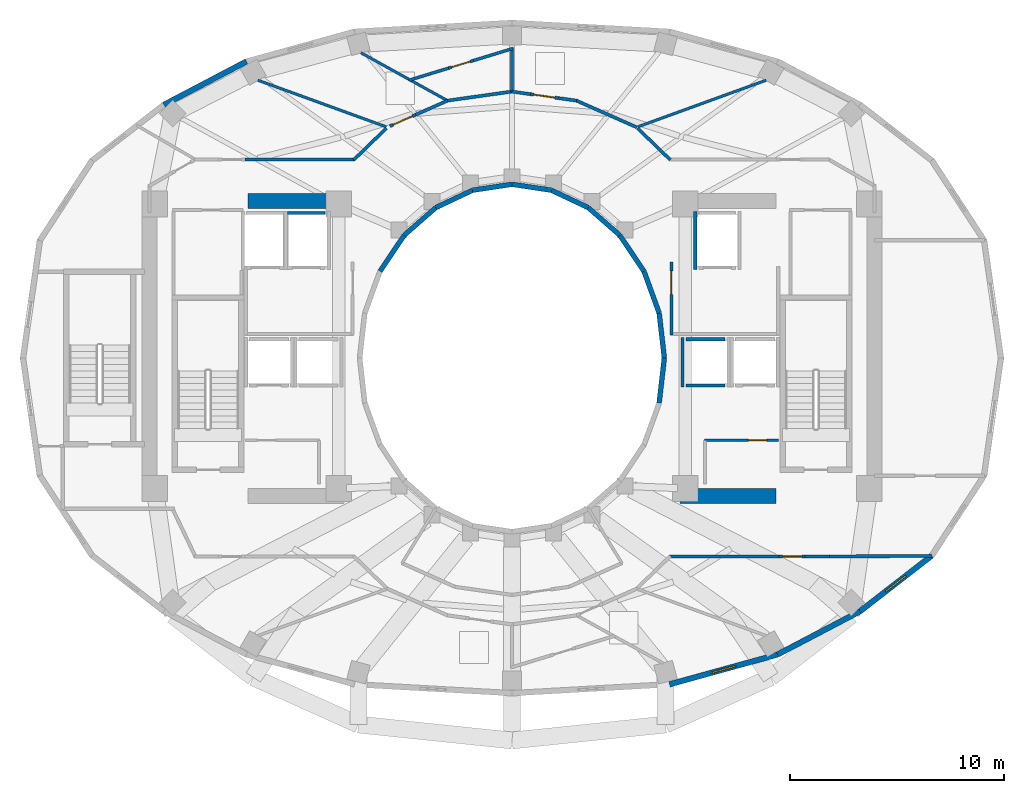
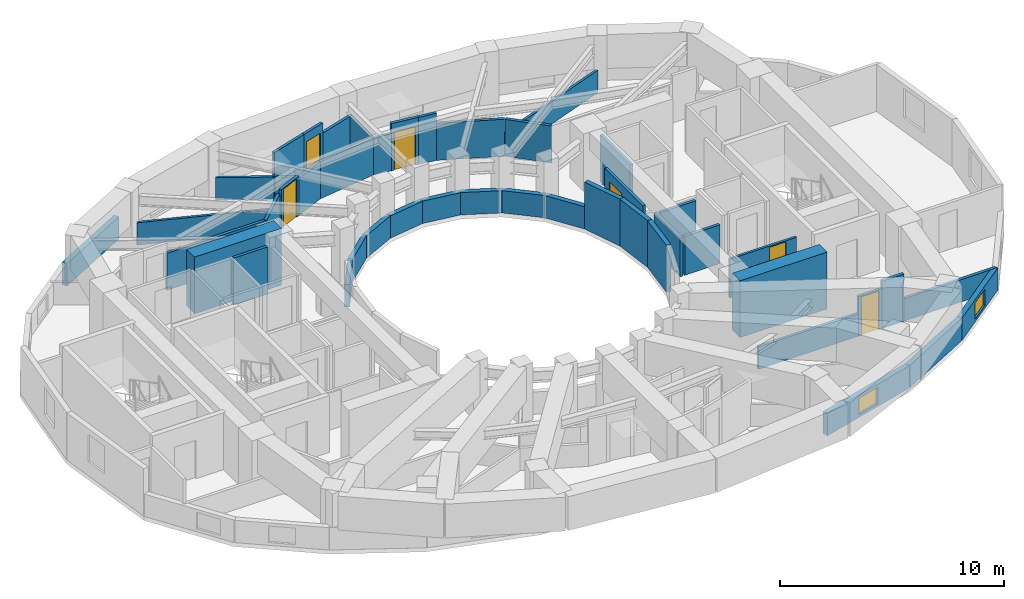
# One storey, part 5 of 9: 45 walls, 6 doors, 2 windows, 8 openings.
"""IFC4 building model written with IfcOpenShell, lengths in metres."""

from ifc_helpers import new_model, si_unit, direction, frame, frame_2d, origin, place, context, subcontext, project, spatial, rectangle, extrude, material, layer, layer_set, type_object, element, fill, save


model = new_model("IFC4")

# Units and contexts
model_context = context("Model", 3, precision=1e-05, world=origin(), true_north=direction((0.0, 1.0)))
body_context = subcontext(model_context, "Body", "Model", "MODEL_VIEW")
ifc_project = project(units=[si_unit("LENGTHUNIT", "METRE"), si_unit("AREAUNIT", "SQUARE_METRE"), si_unit("VOLUMEUNIT", "CUBIC_METRE"), si_unit("PLANEANGLEUNIT", "RADIAN"), si_unit("MASSUNIT", "GRAM", prefix="KILO")], contexts=[model_context])

# Site, building, storey
site_placement = place(None, origin())
site = spatial("IfcSite", under=ifc_project, at=site_placement, CompositionType="ELEMENT")
building_placement = place(site_placement, origin())
building = spatial("IfcBuilding", under=site, at=building_placement, Name="Solvane Sanctuary Tower", CompositionType="ELEMENT")
storey_placement = place(building_placement, frame((0.0, 0.0, 168.39990234375)))
storey = spatial("IfcBuildingStorey", under=building, at=storey_placement, Name="L51", CompositionType="ELEMENT", Elevation=168.39990234375)

# Walls
ifc_material_1 = material(Name="Concrete C60/75", Category="concrete")
ifc_layer_1 = layer(ifc_material_1, 0.699951171875, Name="Concrete C60/75")
ifc_layer_set_1 = layer_set([ifc_layer_1], Name="Concrete C60/75")
wall_type_1 = type_object("IfcWallType", Name="Wall W-CORE-700", PredefinedType="SHEAR", material=ifc_layer_set_1)
for number, where, z_axis, x_axis, name in (
    (1, (19.64990234375, 30.35009765625, 0.0), (0.0, 0.0, 1.0), (1.0, 0.0, 0.0), "L51 Core Shear Wall WC-N"),
    (2, (39.85009765625, 16.550048828125, 0.0), (0.0, 0.0, 1.0), (1.0, 0.0, 0.0), "L51 Core Shear Wall EC-S"),
):
    element("IfcWall", number, at=place(storey_placement, frame(where, z_axis=z_axis, x_axis=x_axis)), inside=storey, type_object=wall_type_1, Name=name, PredefinedType="SHEAR", context=body_context, shape_type="SweptSolid", body=[
        extrude(rectangle(XDim=4.5, YDim=0.699951171875, at=frame_2d((2.25, 0.0))), origin(), (0.0, 0.0, 1.0), 3.10009765625),
    ])

# Wall, opening, door
ifc_material_2 = material(Name="Acoustic Gypsum Partition Board")
ifc_layer_2 = layer(ifc_material_2, 0.14990234375, Name="Acoustic Gypsum Partition Board")
ifc_layer_set_2 = layer_set([ifc_layer_2], Name="Acoustic Gypsum Partition Board")
wall_type_2 = type_object("IfcWallType", Name="Wall W-CORR-150", PredefinedType="PARTITIONING", material=ifc_layer_set_2)
wall_1_placement = place(storey_placement, frame((39.449951171875, 24.080078125, 0.0), z_axis=(0.0, 0.0, 1.0), x_axis=(0.0, 1.0, 0.0)))
wall_1 = element("IfcWall", 3, at=wall_1_placement, inside=storey, type_object=wall_type_2, Name="L51 East Firefighting Lobby West Wall", PredefinedType="PARTITIONING", context=body_context, shape_type="SweptSolid", body=[
    extrude(rectangle(XDim=3.39990234375, YDim=0.14990234375, at=frame_2d((1.699951171875, 0.0))), origin(), (0.0, 0.0, 1.0), 2.5751953125),
])
opening_1_placement = place(wall_1_placement, frame((1.893798828125, 0.0, 0.0)))
opening_1 = element("IfcOpeningElement", 4, at=opening_1_placement, cuts=wall_1, Name="Opening D-L51-05", PredefinedType="OPENING", context=body_context, shape_type="SweptSolid", body=[
    extrude(rectangle(XDim=1.10009765625, YDim=2.10009765625, at=frame_2d((0.550048828125, 1.050048828125))), frame((0.0, 0.0849609375, 0.0), z_axis=(0.0, -1.0, 0.0), x_axis=(1.0, 0.0, 0.0)), (0.0, 0.0, 1.0), 0.169921875),
])
ifc_material_3 = material(Name="Architectural Stainless Steel 316", Category="steel")
door_type_1 = type_object("IfcDoorType", Name="Door D-FFL", OperationType="NOTDEFINED", PredefinedType="DOOR", material=ifc_material_3)
door_1_placement = place(opening_1_placement, origin())
door_1 = element("IfcDoor", 5, at=door_1_placement, inside=storey, type_object=door_type_1, Name="L51 East Firefighting Lobby Fire Door", OperationType="SINGLE_SWING_LEFT", OverallHeight=2.10009765625, OverallWidth=1.10009765625, PredefinedType="DOOR", context=body_context, shape_type="SweptSolid", body=[
    extrude(rectangle(XDim=1.10009765625, YDim=2.10009765625, at=frame_2d((0.550048828125, 1.050048828125))), frame((0.0, 0.02490234375, 0.0), z_axis=(0.0, -1.0, 0.0), x_axis=(1.0, 0.0, 0.0)), (0.0, 0.0, 1.0), 0.050048828125),
])
fill(opening_1, door_1)

# Walls
for number, where, z_axis, x_axis, name in (
    (6, (37.867431640625, 33.748779296875, 0.0), (0.0, 0.0, 1.0), (0.717419568599, -0.696641344302, 0.0), "L51 NE Corner Throat Wall"),
    (7, (26.132568359375, 33.748779296875, 0.0), (0.0, 0.0, 1.0), (-0.717419568599, -0.696641344302, 0.0), "L51 NW Corner Throat Wall"),
):
    element("IfcWall", number, at=place(storey_placement, frame(where, z_axis=z_axis, x_axis=x_axis)), inside=storey, type_object=wall_type_2, Name=name, PredefinedType="PARTITIONING", context=body_context, shape_type="SweptSolid", body=[
        extrude(rectangle(XDim=2.138427734375, YDim=0.14990234375, at=frame_2d((1.0693359375, 0.0))), origin(), (0.0, 0.0, 1.0), 2.01904296875),
    ])
wall_2_placement = place(storey_placement, frame((19.510009765625, 32.280029296875, 0.0), z_axis=(0.0, 0.0, 1.0), x_axis=(1.0, 0.0, 0.0)))
element("IfcWall", 8, at=wall_2_placement, inside=storey, type_object=wall_type_2, Name="L51 NW Corner Corridor Wall", PredefinedType="PARTITIONING", context=body_context, shape_type="SweptSolid", body=[
    extrude(rectangle(XDim=5.159912109375, YDim=0.14990234375, at=frame_2d((2.580078125, 0.0))), origin(), (0.0, 0.0, 1.0), 2.01904296875),
])
wall_3_placement = place(storey_placement, frame((39.330078125, 13.719970703125, 0.0), z_axis=(0.0, 0.0, 1.0), x_axis=(1.0, 0.0, 0.0)))
element("IfcWall", 9, at=wall_3_placement, inside=storey, type_object=wall_type_2, Name="L51 SE Corner Corridor Wall", PredefinedType="PARTITIONING", context=body_context, shape_type="SweptSolid", body=[
    extrude(rectangle(XDim=5.158447265625, YDim=0.14990234375, at=frame_2d((2.5791015625, 0.0))), origin(), (0.0, 0.0, 1.0), 1.22021484375),
])

# Wall, opening, door
wall_4_placement = place(storey_placement, frame((44.488525390625, 13.719970703125, 0.0), z_axis=(0.0, 0.0, 1.0), x_axis=(1.0, 0.0, 0.0)))
wall_4 = element("IfcWall", 10, at=wall_4_placement, inside=storey, type_object=wall_type_2, Name="L51 SE Corner Corridor Wall", PredefinedType="PARTITIONING", context=body_context, shape_type="SweptSolid", body=[
    extrude(rectangle(XDim=1.219970703125, YDim=0.14990234375, at=frame_2d((0.60986328125, 0.0))), origin(), (0.0, 0.0, 1.0), 2.16015625),
])
opening_2_placement = place(wall_4_placement, frame((0.159912109375, 0.0, 0.0)))
opening_2 = element("IfcOpeningElement", 11, at=opening_2_placement, cuts=wall_4, Name="Opening D-L51-16", PredefinedType="OPENING", context=body_context, shape_type="SweptSolid", body=[
    extrude(rectangle(XDim=0.89990234375, YDim=2.10009765625, at=frame_2d((0.449951171875, 1.050048828125))), frame((0.0, 0.0849609375, 0.0), z_axis=(0.0, -1.0, 0.0), x_axis=(1.0, 0.0, 0.0)), (0.0, 0.0, 1.0), 0.169921875),
])
ifc_material_4 = material(Name="Engineered Tropical Hardwood", Category="wood")
door_type_2 = type_object("IfcDoorType", Name="Door D-WET-900", OperationType="NOTDEFINED", PredefinedType="DOOR", material=ifc_material_4)
door_2_placement = place(opening_2_placement, origin())
door_2 = element("IfcDoor", 12, at=door_2_placement, inside=storey, type_object=door_type_2, Name="L51 SE Corner Salon Door", OperationType="SINGLE_SWING_RIGHT", OverallHeight=2.10009765625, OverallWidth=0.89990234375, PredefinedType="DOOR", context=body_context, shape_type="SweptSolid", body=[
    extrude(rectangle(XDim=0.89990234375, YDim=2.10009765625, at=frame_2d((0.449951171875, 1.050048828125))), frame((0.0, 0.02490234375, 0.0), z_axis=(0.0, -1.0, 0.0), x_axis=(1.0, 0.0, 0.0)), (0.0, 0.0, 1.0), 0.050048828125),
])
fill(opening_2, door_2)

# Walls
wall_5_placement = place(storey_placement, frame((45.70849609375, 13.719970703125, 0.0), z_axis=(0.0, 0.0, 1.0), x_axis=(1.0, 0.0, 0.0)))
element("IfcWall", 13, at=wall_5_placement, inside=storey, type_object=wall_type_2, Name="L51 SE Corner Corridor Wall", PredefinedType="PARTITIONING", context=body_context, shape_type="SweptSolid", body=[
    extrude(rectangle(XDim=1.1416015625, YDim=0.14990234375, at=frame_2d((0.57080078125, 0.0))), origin(), (0.0, 0.0, 1.0), 2.5751953125),
])
wall_6_placement = place(storey_placement, frame((46.75, 13.7197265625, 0.0), z_axis=(0.0, 0.0, 1.0), x_axis=(0.999981712056, 0.006047772638, 0.0)))
element("IfcWall", 14, at=wall_6_placement, inside=storey, type_object=wall_type_2, Name="L51 SE Corner Wing Wall", PredefinedType="PARTITIONING", context=body_context, shape_type="SweptSolid", body=[
    extrude(rectangle(XDim=4.884521484375, YDim=0.14990234375, at=frame_2d((2.4423828125, 0.0))), origin(), (0.0, 0.0, 1.0), 1.22021484375),
])
wall_7_placement = place(storey_placement, frame((32.049560546875, 35.462890625, 0.0), z_axis=(0.0, 0.0, 1.0), x_axis=(-0.990254405439, -0.139270285808, 0.0)))
element("IfcWall", 15, at=wall_7_placement, inside=storey, type_object=wall_type_2, Name="L51 En-suite Inner Wall N1", PredefinedType="PARTITIONING", context=body_context, shape_type="SweptSolid", body=[
    extrude(rectangle(XDim=3.146728515625, YDim=0.14990234375, at=frame_2d((1.5732421875, 0.0))), origin(), (0.0, 0.0, 1.0), 2.01904296875),
])
wall_8_placement = place(storey_placement, frame((37.8349609375, 33.782958984375, 0.0), z_axis=(0.0, 0.0, 1.0), x_axis=(-0.91445214467, 0.404694051239, 0.0)))
element("IfcWall", 16, at=wall_8_placement, inside=storey, type_object=wall_type_2, Name="L51 Unit Corridor Wall N1", PredefinedType="PARTITIONING", context=body_context, shape_type="SweptSolid", body=[
    extrude(rectangle(XDim=3.090576171875, YDim=0.14990234375, at=frame_2d((1.54541015625, 0.0))), origin(), (0.0, 0.0, 1.0), 2.01904296875),
])
wall_9_placement = place(storey_placement, frame((35.024658203125, 35.029296875, 0.0), z_axis=(0.0, 0.0, 1.0), x_axis=(-0.990255371296, 0.139263418091, 0.0)))
element("IfcWall", 17, at=wall_9_placement, inside=storey, type_object=wall_type_2, Name="L51 Unit Corridor Wall N1", PredefinedType="PARTITIONING", context=body_context, shape_type="SweptSolid", body=[
    extrude(rectangle(XDim=0.871337890625, YDim=0.14990234375, at=frame_2d((0.435546875, 0.0))), origin(), (0.0, 0.0, 1.0), 2.5751953125),
])

# Wall, opening, door
wall_10_placement = place(storey_placement, frame((34.161865234375, 35.150634765625, 0.0), z_axis=(0.0, 0.0, 1.0), x_axis=(-0.990228663531, 0.139453196171, 0.0)))
wall_10 = element("IfcWall", 18, at=wall_10_placement, inside=storey, type_object=wall_type_2, Name="L51 Unit Corridor Wall N1", PredefinedType="PARTITIONING", context=body_context, shape_type="SweptSolid", body=[
    extrude(rectangle(XDim=1.320068359375, YDim=0.14990234375, at=frame_2d((0.66015625, 0.0))), origin(), (0.0, 0.0, 1.0), 2.5751953125),
])
opening_3_placement = place(wall_10_placement, frame((0.159912109375, 0.0, 0.0)))
opening_3 = element("IfcOpeningElement", 19, at=opening_3_placement, cuts=wall_10, Name="Opening D-L51-19", PredefinedType="OPENING", context=body_context, shape_type="SweptSolid", body=[
    extrude(rectangle(XDim=1.0, YDim=2.10009765625, at=frame_2d((0.5, 1.050048828125))), frame((0.0, 0.0849609375, 0.0), z_axis=(0.0, -1.0, 0.0), x_axis=(1.0, 0.0, 0.0)), (0.0, 0.0, 1.0), 0.169921875),
])
door_type_3 = type_object("IfcDoorType", Name="Door D-UNIT", OperationType="NOTDEFINED", PredefinedType="DOOR", material=ifc_material_4)
door_3_placement = place(opening_3_placement, origin())
door_3 = element("IfcDoor", 20, at=door_3_placement, inside=storey, type_object=door_type_3, Name="L51 Unit Entrance Door N1", OperationType="SINGLE_SWING_LEFT", OverallHeight=2.10009765625, OverallWidth=1.0, PredefinedType="DOOR", context=body_context, shape_type="SweptSolid", body=[
    extrude(rectangle(XDim=1.0, YDim=2.10009765625, at=frame_2d((0.5, 1.050048828125))), frame((0.0, 0.02490234375, 0.0), z_axis=(0.0, -1.0, 0.0), x_axis=(1.0, 0.0, 0.0)), (0.0, 0.0, 1.0), 0.050048828125),
])
fill(opening_3, door_3)

# Walls
wall_11_placement = place(storey_placement, frame((32.854736328125, 35.334716796875, 0.0), z_axis=(0.0, 0.0, 1.0), x_axis=(-0.990255371296, 0.139263418091, 0.0)))
element("IfcWall", 21, at=wall_11_placement, inside=storey, type_object=wall_type_2, Name="L51 Unit Corridor Wall N1", PredefinedType="PARTITIONING", context=body_context, shape_type="SweptSolid", body=[
    extrude(rectangle(XDim=0.871337890625, YDim=0.14990234375, at=frame_2d((0.435546875, 0.0))), origin(), (0.0, 0.0, 1.0), 2.01904296875),
])
wall_12_placement = place(storey_placement, frame((28.9912109375, 35.03369140625, 0.0), z_axis=(0.0, 0.0, 1.0), x_axis=(-0.914437708412, -0.404726670031, 0.0)))
element("IfcWall", 22, at=wall_12_placement, inside=storey, type_object=wall_type_2, Name="L51 Unit Corridor Wall N2", PredefinedType="PARTITIONING", context=body_context, shape_type="SweptSolid", body=[
    extrude(rectangle(XDim=1.63720703125, YDim=0.14990234375, at=frame_2d((0.818603515625, 0.0))), origin(), (0.0, 0.0, 1.0), 2.01904296875),
])

# Wall, opening, door
wall_13_placement = place(storey_placement, frame((27.494140625, 34.37109375, 0.0), z_axis=(0.0, 0.0, 1.0), x_axis=(-0.914451103971, -0.404696402809, 0.0)))
wall_13 = element("IfcWall", 23, at=wall_13_placement, inside=storey, type_object=wall_type_2, Name="L51 Unit Corridor Wall N2", PredefinedType="PARTITIONING", context=body_context, shape_type="SweptSolid", body=[
    extrude(rectangle(XDim=1.320068359375, YDim=0.14990234375, at=frame_2d((0.66015625, 0.0))), origin(), (0.0, 0.0, 1.0), 2.16015625),
])
opening_4_placement = place(wall_13_placement, frame((0.159912109375, 0.0, 0.0)))
opening_4 = element("IfcOpeningElement", 24, at=opening_4_placement, cuts=wall_13, Name="Opening D-L51-20", PredefinedType="OPENING", context=body_context, shape_type="SweptSolid", body=[
    extrude(rectangle(XDim=1.0, YDim=2.10009765625, at=frame_2d((0.5, 1.050048828125))), frame((0.0, 0.0849609375, 0.0), z_axis=(0.0, -1.0, 0.0), x_axis=(1.0, 0.0, 0.0)), (0.0, 0.0, 1.0), 0.169921875),
])
door_4_placement = place(opening_4_placement, origin())
door_4 = element("IfcDoor", 25, at=door_4_placement, inside=storey, type_object=door_type_3, Name="L51 Unit Entrance Door N2", OperationType="SINGLE_SWING_RIGHT", OverallHeight=2.10009765625, OverallWidth=1.0, PredefinedType="DOOR", context=body_context, shape_type="SweptSolid", body=[
    extrude(rectangle(XDim=1.0, YDim=2.10009765625, at=frame_2d((0.5, 1.050048828125))), frame((0.0, 0.02490234375, 0.0), z_axis=(0.0, -1.0, 0.0), x_axis=(1.0, 0.0, 0.0)), (0.0, 0.0, 1.0), 0.050048828125),
])
fill(opening_4, door_4)

# Wall
ifc_material_5 = material(Name="Precast concrete C40/50", Category="concrete")
ifc_layer_3 = layer(ifc_material_5, 0.260009765625, Name="Precast concrete C40/50")
ifc_layer_set_3 = layer_set([ifc_layer_3], Name="Precast concrete C40/50")
wall_type_3 = type_object("IfcWallType", Name="Wall W-EXT-250", PredefinedType="STANDARD", material=ifc_layer_set_3)
wall_14_placement = place(storey_placement, frame((19.5869140625, 36.86328125, 0.0), z_axis=(0.0, 0.0, 1.0), x_axis=(-0.885660265226, -0.464333818065, 0.0)))
element("IfcWall", 26, at=wall_14_placement, inside=storey, type_object=wall_type_3, Name="L51 Ceramic-Printed Facade Wall 08", PredefinedType="STANDARD", context=body_context, shape_type="SweptSolid", body=[
    extrude(rectangle(XDim=4.35400390625, YDim=0.260009765625, at=frame_2d((2.177001953125, 0.0))), origin(), (0.0, 0.0, 1.0), 1.22021484375),
])

# Wall, opening, window
wall_15_placement = place(storey_placement, frame((39.365234375, 7.743408203125, 0.0), z_axis=(0.0, 0.0, 1.0), x_axis=(0.963953455704, 0.26607092144, 0.0)))
wall_15 = element("IfcWall", 27, at=wall_15_placement, inside=storey, type_object=wall_type_3, Name="L51 Ceramic-Printed Facade Wall 19", PredefinedType="STANDARD", context=body_context, shape_type="SweptSolid", body=[
    extrude(rectangle(XDim=5.236572265625, YDim=0.260009765625, at=frame_2d((2.6181640625, 0.0))), origin(), (0.0, 0.0, 1.0), 1.22021484375),
])
opening_5_placement = place(wall_15_placement, frame((2.018310546875, 0.0, 0.14990234375)))
opening_5 = element("IfcOpeningElement", 28, at=opening_5_placement, cuts=wall_15, Name="Opening WN-OPER-1200", PredefinedType="OPENING", context=body_context, shape_type="SweptSolid", body=[
    extrude(rectangle(XDim=1.199951171875, YDim=0.89990234375, at=frame_2d((0.60009765625, 0.449951171875))), frame((0.0, 0.139892578125, 0.0), z_axis=(0.0, -1.0, 0.0), x_axis=(1.0, 0.0, 0.0)), (0.0, 0.0, 1.0), 0.280029296875),
])
ifc_material_6 = material(Name="Dark Ceramic-Fritted Low-E Glass", Category="glass")
window_type = type_object("IfcWindowType", Name="Window WN-OPER-1200", PartitioningType="SINGLE_PANEL", PredefinedType="WINDOW", material=ifc_material_6)
window_1_placement = place(opening_5_placement, origin())
window_1 = element("IfcWindow", 29, at=window_1_placement, inside=storey, type_object=window_type, Name="L51 Operable Facade Window 19", OverallHeight=0.89990234375, OverallWidth=1.199951171875, PartitioningType="SINGLE_PANEL", PredefinedType="WINDOW", context=body_context, shape_type="SweptSolid", body=[
    extrude(rectangle(XDim=1.199951171875, YDim=0.89990234375, at=frame_2d((0.60009765625, 0.449951171875))), frame((0.0, 0.030029296875, 0.0), z_axis=(0.0, -1.0, 0.0), x_axis=(1.0, 0.0, 0.0)), (0.0, 0.0, 1.0), 0.06005859375),
])
fill(opening_5, window_1)

# Wall
wall_16_placement = place(storey_placement, frame((44.4130859375, 9.13671875, 0.0), z_axis=(0.0, 0.0, 1.0), x_axis=(0.885660265226, 0.464333818065, 0.0)))
element("IfcWall", 30, at=wall_16_placement, inside=storey, type_object=wall_type_3, Name="L51 Ceramic-Printed Facade Wall 20", PredefinedType="STANDARD", context=body_context, shape_type="SweptSolid", body=[
    extrude(rectangle(XDim=4.35400390625, YDim=0.260009765625, at=frame_2d((2.177001953125, 0.0))), origin(), (0.0, 0.0, 1.0), 1.22021484375),
])

# Wall, opening, window
wall_17_placement = place(storey_placement, frame((48.269287109375, 11.158447265625, 0.0), z_axis=(0.0, 0.0, 1.0), x_axis=(0.790185650662, 0.612867552973, 0.0)))
wall_17 = element("IfcWall", 31, at=wall_17_placement, inside=storey, type_object=wall_type_3, Name="L51 Ceramic-Printed Facade Wall 21", PredefinedType="STANDARD", context=body_context, shape_type="SweptSolid", body=[
    extrude(rectangle(XDim=4.2392578125, YDim=0.260009765625, at=frame_2d((2.11962890625, 0.0))), origin(), (0.0, 0.0, 1.0), 1.22021484375),
])
opening_6_placement = place(wall_17_placement, frame((1.51953125, 0.0, 0.14990234375)))
opening_6 = element("IfcOpeningElement", 32, at=opening_6_placement, cuts=wall_17, Name="Opening WN-OPER-1200", PredefinedType="OPENING", context=body_context, shape_type="SweptSolid", body=[
    extrude(rectangle(XDim=1.199951171875, YDim=0.89990234375, at=frame_2d((0.60009765625, 0.449951171875))), frame((0.0, 0.139892578125, 0.0), z_axis=(0.0, -1.0, 0.0), x_axis=(1.0, 0.0, 0.0)), (0.0, 0.0, 1.0), 0.280029296875),
])
window_2_placement = place(opening_6_placement, origin())
window_2 = element("IfcWindow", 33, at=window_2_placement, inside=storey, type_object=window_type, Name="L51 Operable Facade Window 21", OverallHeight=0.89990234375, OverallWidth=1.199951171875, PartitioningType="SINGLE_PANEL", PredefinedType="WINDOW", context=body_context, shape_type="SweptSolid", body=[
    extrude(rectangle(XDim=1.199951171875, YDim=0.89990234375, at=frame_2d((0.60009765625, 0.449951171875))), frame((0.0, 0.030029296875, 0.0), z_axis=(0.0, -1.0, 0.0), x_axis=(1.0, 0.0, 0.0)), (0.0, 0.0, 1.0), 0.06005859375),
])
fill(opening_6, window_2)

# Walls
ifc_layer_4 = layer(ifc_material_5, 0.22998046875, Name="Precast concrete C40/50")
ifc_layer_set_4 = layer_set([ifc_layer_4], Name="Precast concrete C40/50")
wall_type_4 = type_object("IfcWallType", Name="Wall W-EXT-SP220", PredefinedType="STANDARD", material=ifc_layer_set_4)
wall_18_placement = place(storey_placement, frame((39.1201171875, 23.0, 0.0), z_axis=(0.0, 0.0, 1.0), x_axis=(-0.114711713601, 0.993398823617, 0.0)))
element("IfcWall", 34, at=wall_18_placement, inside=storey, type_object=wall_type_4, Name="L51 Central Light-Well Wall 00", PredefinedType="STANDARD", context=body_context, shape_type="SweptSolid", body=[
    extrude(rectangle(XDim=2.115478515625, YDim=0.22998046875, at=frame_2d((1.0576171875, 0.0))), origin(), (0.0, 0.0, 1.0), 2.56005859375),
])
wall_19_placement = place(storey_placement, frame((38.87744140625, 25.1015625, 0.0), z_axis=(0.0, 0.0, 1.0), x_axis=(-0.341423187295, 0.93990968033, 0.0)))
element("IfcWall", 35, at=wall_19_placement, inside=storey, type_object=wall_type_4, Name="L51 Central Light-Well Wall 01", PredefinedType="STANDARD", context=body_context, shape_type="SweptSolid", body=[
    extrude(rectangle(XDim=2.083740234375, YDim=0.22998046875, at=frame_2d((1.0419921875, 0.0))), origin(), (0.0, 0.0, 1.0), 2.56005859375),
])
wall_20_placement = place(storey_placement, frame((38.166015625, 27.06005859375, 0.0), z_axis=(0.0, 0.0, 1.0), x_axis=(-0.558197800898, 0.829707909492, 0.0)))
element("IfcWall", 36, at=wall_20_placement, inside=storey, type_object=wall_type_4, Name="L51 Central Light-Well Wall 02", PredefinedType="STANDARD", context=body_context, shape_type="SweptSolid", body=[
    extrude(rectangle(XDim=2.02685546875, YDim=0.22998046875, at=frame_2d((1.013427734375, 0.0))), origin(), (0.0, 0.0, 1.0), 1.22021484375),
])
wall_21_placement = place(storey_placement, frame((37.03466796875, 28.74169921875, 0.0), z_axis=(0.0, 0.0, 1.0), x_axis=(-0.752576694707, 0.658504607869, 0.0)))
element("IfcWall", 37, at=wall_21_placement, inside=storey, type_object=wall_type_4, Name="L51 Central Light-Well Wall 03", PredefinedType="STANDARD", context=body_context, shape_type="SweptSolid", body=[
    extrude(rectangle(XDim=1.95947265625, YDim=0.22998046875, at=frame_2d((0.979736328125, 0.0))), origin(), (0.0, 0.0, 1.0), 1.22021484375),
])
wall_22_placement = place(storey_placement, frame((35.56005859375, 30.031982421875, 0.0), z_axis=(0.0, 0.0, 1.0), x_axis=(-0.904179699603, 0.427152280606, 0.0)))
element("IfcWall", 38, at=wall_22_placement, inside=storey, type_object=wall_type_4, Name="L51 Central Light-Well Wall 04", PredefinedType="STANDARD", context=body_context, shape_type="SweptSolid", body=[
    extrude(rectangle(XDim=1.899169921875, YDim=0.22998046875, at=frame_2d((0.94970703125, 0.0))), origin(), (0.0, 0.0, 1.0), 1.22021484375),
])
for number, where, z_axis, x_axis, name in (
    (39, (33.8427734375, 30.84326171875, 0.0), (0.0, 0.0, 1.0), (-0.988901730308, 0.148571086668, 0.0), "L51 Central Light-Well Wall 05"),
    (40, (32.0, 31.1201171875, 0.0), (0.0, 0.0, 1.0), (-0.988901730308, -0.148571086668, 0.0), "L51 Central Light-Well Wall 06"),
):
    element("IfcWall", number, at=place(storey_placement, frame(where, z_axis=z_axis, x_axis=x_axis)), inside=storey, type_object=wall_type_4, Name=name, PredefinedType="STANDARD", context=body_context, shape_type="SweptSolid", body=[
        extrude(rectangle(XDim=1.863525390625, YDim=0.22998046875, at=frame_2d((0.931640625, 0.0))), origin(), (0.0, 0.0, 1.0), 1.22021484375),
    ])
wall_23_placement = place(storey_placement, frame((30.1572265625, 30.84326171875, 0.0), z_axis=(0.0, 0.0, 1.0), x_axis=(-0.904179699603, -0.427152280606, 0.0)))
element("IfcWall", 41, at=wall_23_placement, inside=storey, type_object=wall_type_4, Name="L51 Central Light-Well Wall 07", PredefinedType="STANDARD", context=body_context, shape_type="SweptSolid", body=[
    extrude(rectangle(XDim=1.899169921875, YDim=0.22998046875, at=frame_2d((0.94970703125, 0.0))), origin(), (0.0, 0.0, 1.0), 1.22021484375),
])
wall_24_placement = place(storey_placement, frame((28.43994140625, 30.031982421875, 0.0), z_axis=(0.0, 0.0, 1.0), x_axis=(-0.752576694707, -0.658504607869, 0.0)))
element("IfcWall", 42, at=wall_24_placement, inside=storey, type_object=wall_type_4, Name="L51 Central Light-Well Wall 08", PredefinedType="STANDARD", context=body_context, shape_type="SweptSolid", body=[
    extrude(rectangle(XDim=1.95947265625, YDim=0.22998046875, at=frame_2d((0.979736328125, 0.0))), origin(), (0.0, 0.0, 1.0), 1.22021484375),
])
wall_25_placement = place(storey_placement, frame((26.96533203125, 28.74169921875, 0.0), z_axis=(0.0, 0.0, 1.0), x_axis=(-0.558197800898, -0.829707909492, 0.0)))
element("IfcWall", 43, at=wall_25_placement, inside=storey, type_object=wall_type_4, Name="L51 Central Light-Well Wall 09", PredefinedType="STANDARD", context=body_context, shape_type="SweptSolid", body=[
    extrude(rectangle(XDim=2.02685546875, YDim=0.22998046875, at=frame_2d((1.013427734375, 0.0))), origin(), (0.0, 0.0, 1.0), 1.22021484375),
])
wall_26_placement = place(storey_placement, frame((38.87744140625, 20.8984375, 0.0), z_axis=(0.0, 0.0, 1.0), x_axis=(0.114711713601, 0.993398823617, 0.0)))
element("IfcWall", 44, at=wall_26_placement, inside=storey, type_object=wall_type_4, Name="L51 Central Light-Well Wall 23", PredefinedType="STANDARD", context=body_context, shape_type="SweptSolid", body=[
    extrude(rectangle(XDim=2.115478515625, YDim=0.22998046875, at=frame_2d((1.0576171875, 0.0))), origin(), (0.0, 0.0, 1.0), 2.56005859375),
])

# Wall, opening, door
ifc_layer_5 = layer(ifc_material_2, 0.125, Name="Acoustic Gypsum Partition Board")
ifc_layer_set_5 = layer_set([ifc_layer_5], Name="Acoustic Gypsum Partition Board")
wall_type_5 = type_object("IfcWallType", Name="Wall W-PART-125", PredefinedType="PARTITIONING", material=ifc_layer_set_5)
wall_27_placement = place(storey_placement, frame((41.0, 19.159912109375, 0.0), z_axis=(0.0, 0.0, 1.0), x_axis=(1.0, 0.0, 0.0)))
wall_27 = element("IfcWall", 45, at=wall_27_placement, inside=storey, type_object=wall_type_5, Name="L51 Reclaimed Room Partition PLE", PredefinedType="PARTITIONING", context=body_context, shape_type="SweptSolid", body=[
    extrude(rectangle(XDim=3.449951171875, YDim=0.125, at=frame_2d((1.72509765625, 0.0))), origin(), (0.0, 0.0, 1.0), 2.1201171875),
])
opening_7_placement = place(wall_27_placement, frame((2.050048828125, 0.0, 0.0)))
opening_7 = element("IfcOpeningElement", 46, at=opening_7_placement, cuts=wall_27, Name="Opening D-L51-07", PredefinedType="OPENING", context=body_context, shape_type="SweptSolid", body=[
    extrude(rectangle(XDim=0.85009765625, YDim=2.050048828125, at=frame_2d((0.425048828125, 1.02490234375))), frame((0.0, 0.072509765625, 0.0), z_axis=(0.0, -1.0, 0.0), x_axis=(1.0, 0.0, 0.0)), (0.0, 0.0, 1.0), 0.14501953125),
])
door_type_4 = type_object("IfcDoorType", Name="Door D-RISER", OperationType="NOTDEFINED", PredefinedType="DOOR", material=ifc_material_3)
door_5_placement = place(opening_7_placement, origin())
door_5 = element("IfcDoor", 47, at=door_5_placement, inside=storey, type_object=door_type_4, Name="L51 Reclaimed Room Door PLE-1", OperationType="SINGLE_SWING_LEFT", OverallHeight=2.050048828125, OverallWidth=0.85009765625, PredefinedType="DOOR", context=body_context, shape_type="SweptSolid", body=[
    extrude(rectangle(XDim=0.85009765625, YDim=2.050048828125, at=frame_2d((0.425048828125, 1.02490234375))), frame((0.0, 0.02490234375, 0.0), z_axis=(0.0, -1.0, 0.0), x_axis=(1.0, 0.0, 0.0)), (0.0, 0.0, 1.0), 0.050048828125),
])
fill(opening_7, door_5)

# Walls
wall_28_placement = place(storey_placement, frame((37.879638671875, 33.805908203125, 0.0), z_axis=(0.0, 0.0, 1.0), x_axis=(0.939901628116, 0.341445353557, 0.0)))
element("IfcWall", 48, at=wall_28_placement, inside=storey, type_object=wall_type_5, Name="L51 Radial Compartment Wall 060", PredefinedType="PARTITIONING", context=body_context, shape_type="SweptSolid", body=[
    extrude(rectangle(XDim=6.38720703125, YDim=0.125, at=frame_2d((3.193603515625, 0.0))), origin(), (0.0, 0.0, 1.0), 1.22021484375),
])
wall_29_placement = place(storey_placement, frame((28.93505859375, 35.05810546875, 0.0), z_axis=(0.0, 0.0, 1.0), x_axis=(-0.875077338582, 0.48398311076, 0.0)))
element("IfcWall", 49, at=wall_29_placement, inside=storey, type_object=wall_type_5, Name="L51 Radial Compartment Wall 105", PredefinedType="PARTITIONING", context=body_context, shape_type="SweptSolid", body=[
    extrude(rectangle(XDim=4.5732421875, YDim=0.125, at=frame_2d((2.28662109375, 0.0))), origin(), (0.0, 0.0, 1.0), 1.22021484375),
])
wall_30_placement = place(storey_placement, frame((26.120361328125, 33.805908203125, 0.0), z_axis=(0.0, 0.0, 1.0), x_axis=(-0.939901628116, 0.341445353557, 0.0)))
element("IfcWall", 50, at=wall_30_placement, inside=storey, type_object=wall_type_5, Name="L51 Radial Compartment Wall 120", PredefinedType="PARTITIONING", context=body_context, shape_type="SweptSolid", body=[
    extrude(rectangle(XDim=6.38720703125, YDim=0.125, at=frame_2d((3.193603515625, 0.0))), origin(), (0.0, 0.0, 1.0), 1.22021484375),
])
ifc_material_7 = material(Name="Concrete C50/60", Category="concrete")
ifc_layer_6 = layer(ifc_material_7, 0.14990234375, Name="Concrete C50/60")
ifc_layer_set_6 = layer_set([ifc_layer_6], Name="Concrete C50/60")
wall_type_6 = type_object("IfcWallType", Name="Wall W-SHAFT-150", PredefinedType="SOLIDWALL", material=ifc_layer_set_6)
for number, where, z_axis, x_axis, name in (
    (51, (40.139892578125, 21.719970703125, 0.0), (0.0, 0.0, 1.0), (1.0, 0.0, 0.0), "L51 PH-2 Lift Shaft Wall F"),
    (52, (40.139892578125, 23.8798828125, 0.0), (0.0, 0.0, 1.0), (1.0, 0.0, 0.0), "L51 PH-2 Lift Shaft Wall B"),
):
    element("IfcWall", number, at=place(storey_placement, frame(where, z_axis=z_axis, x_axis=x_axis)), inside=storey, type_object=wall_type_6, Name=name, PredefinedType="SOLIDWALL", context=body_context, shape_type="SweptSolid", body=[
        extrude(rectangle(XDim=1.820068359375, YDim=0.14990234375, at=frame_2d((0.91015625, 0.0))), origin(), (0.0, 0.0, 1.0), 2.1201171875),
    ])
wall_31_placement = place(storey_placement, frame((39.969970703125, 21.639892578125, 0.0), z_axis=(0.0, 0.0, 1.0), x_axis=(0.0, 1.0, 0.0)))
element("IfcWall", 53, at=wall_31_placement, inside=storey, type_object=wall_type_6, Name="L51 PH-2 Lift Shaft Wall S1", PredefinedType="SOLIDWALL", context=body_context, shape_type="SweptSolid", body=[
    extrude(rectangle(XDim=2.320068359375, YDim=0.14990234375, at=frame_2d((1.16015625, 0.0))), origin(), (0.0, 0.0, 1.0), 2.1201171875),
])
wall_32_placement = place(storey_placement, frame((21.5, 29.780029296875, 0.0), z_axis=(0.0, 0.0, 1.0), x_axis=(1.0, 0.0, 0.0)))
element("IfcWall", 54, at=wall_32_placement, inside=storey, type_object=wall_type_6, Name="L51 SVL-1 Lift Shaft Wall B", PredefinedType="SOLIDWALL", context=body_context, shape_type="SweptSolid", body=[
    extrude(rectangle(XDim=1.760009765625, YDim=0.14990234375, at=frame_2d((0.8798828125, 0.0))), origin(), (0.0, 0.0, 1.0), 2.5751953125),
])
wall_33_placement = place(storey_placement, frame((40.570068359375, 27.139892578125, 0.0), z_axis=(0.0, 0.0, 1.0), x_axis=(0.0, 1.0, 0.0)))
element("IfcWall", 55, at=wall_33_placement, inside=storey, type_object=wall_type_6, Name="L51 FFL-2 Lift Shaft Wall S1", PredefinedType="SOLIDWALL", context=body_context, shape_type="SweptSolid", body=[
    extrude(rectangle(XDim=2.72021484375, YDim=0.14990234375, at=frame_2d((1.360107421875, 0.0))), origin(), (0.0, 0.0, 1.0), 2.5751953125),
])
ifc_layer_7 = layer(ifc_material_2, 0.139892578125, Name="Acoustic Gypsum Partition Board")
ifc_layer_set_7 = layer_set([ifc_layer_7], Name="Acoustic Gypsum Partition Board")
wall_type_7 = type_object("IfcWallType", Name="Wall W-WET-140", PredefinedType="PLUMBINGWALL", material=ifc_layer_set_7)
wall_34_placement = place(storey_placement, frame((32.0, 35.406005859375, 0.0), z_axis=(0.0, 0.0, 1.0), x_axis=(0.0, 1.0, 0.0)))
element("IfcWall", 56, at=wall_34_placement, inside=storey, type_object=wall_type_7, Name="L51 En-suite Side Partition N1", PredefinedType="PLUMBINGWALL", context=body_context, shape_type="SweptSolid", body=[
    extrude(rectangle(XDim=2.10009765625, YDim=0.139892578125, at=frame_2d((1.050048828125, 0.0))), origin(), (0.0, 0.0, 1.0), 2.01904296875),
])
wall_35_placement = place(storey_placement, frame((32.0478515625, 37.470703125, 0.0), z_axis=(0.0, 0.0, 1.0), x_axis=(-0.956353532472, -0.292212116328, 0.0)))
element("IfcWall", 57, at=wall_35_placement, inside=storey, type_object=wall_type_7, Name="L51 En-suite Bedroom Wall N1", PredefinedType="PLUMBINGWALL", context=body_context, shape_type="SweptSolid", body=[
    extrude(rectangle(XDim=1.932373046875, YDim=0.139892578125, at=frame_2d((0.96630859375, 0.0))), origin(), (0.0, 0.0, 1.0), 2.01904296875),
])

# Wall, opening, door
wall_36_placement = place(storey_placement, frame((30.19970703125, 36.906005859375, 0.0), z_axis=(0.0, 0.0, 1.0), x_axis=(-0.956348463413, -0.292228705857, 0.0)))
wall_36 = element("IfcWall", 58, at=wall_36_placement, inside=storey, type_object=wall_type_7, Name="L51 En-suite Bedroom Wall N1", PredefinedType="PLUMBINGWALL", context=body_context, shape_type="SweptSolid", body=[
    extrude(rectangle(XDim=1.2197265625, YDim=0.139892578125, at=frame_2d((0.60986328125, 0.0))), origin(), (0.0, 0.0, 1.0), 2.5751953125),
])
opening_8_placement = place(wall_36_placement, frame((0.159912109375, 0.0, 0.0)))
opening_8 = element("IfcOpeningElement", 59, at=opening_8_placement, cuts=wall_36, Name="Opening D-L51-18", PredefinedType="OPENING", context=body_context, shape_type="SweptSolid", body=[
    extrude(rectangle(XDim=0.89990234375, YDim=2.10009765625, at=frame_2d((0.449951171875, 1.050048828125))), frame((0.0, 0.079833984375, 0.0), z_axis=(0.0, -1.0, 0.0), x_axis=(1.0, 0.0, 0.0)), (0.0, 0.0, 1.0), 0.159912109375),
])
door_6_placement = place(opening_8_placement, origin())
door_6 = element("IfcDoor", 60, at=door_6_placement, inside=storey, type_object=door_type_2, Name="L51 En-suite Bathroom Door N1", OperationType="SINGLE_SWING_RIGHT", OverallHeight=2.10009765625, OverallWidth=0.89990234375, PredefinedType="DOOR", context=body_context, shape_type="SweptSolid", body=[
    extrude(rectangle(XDim=0.89990234375, YDim=2.10009765625, at=frame_2d((0.449951171875, 1.050048828125))), frame((0.0, 0.02490234375, 0.0), z_axis=(0.0, -1.0, 0.0), x_axis=(1.0, 0.0, 0.0)), (0.0, 0.0, 1.0), 0.050048828125),
])
fill(opening_8, door_6)

# Wall
wall_37_placement = place(storey_placement, frame((29.033203125, 36.549560546875, 0.0), z_axis=(0.0, 0.0, 1.0), x_axis=(-0.956342743061, -0.292247425644, 0.0)))
element("IfcWall", 61, at=wall_37_placement, inside=storey, type_object=wall_type_7, Name="L51 En-suite Bedroom Wall N1", PredefinedType="PLUMBINGWALL", context=body_context, shape_type="SweptSolid", body=[
    extrude(rectangle(XDim=1.932373046875, YDim=0.139892578125, at=frame_2d((0.96630859375, 0.0))), origin(), (0.0, 0.0, 1.0), 2.5751953125),
])

save(model, "model.ifc")
